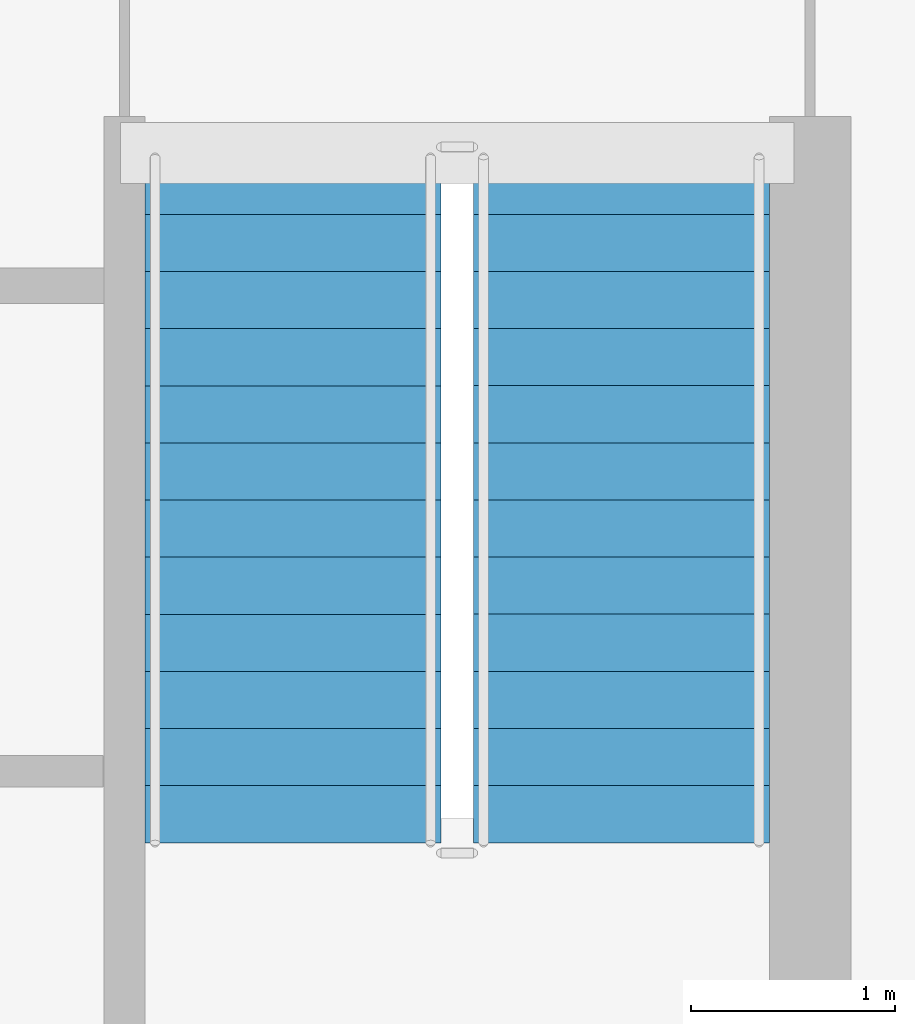
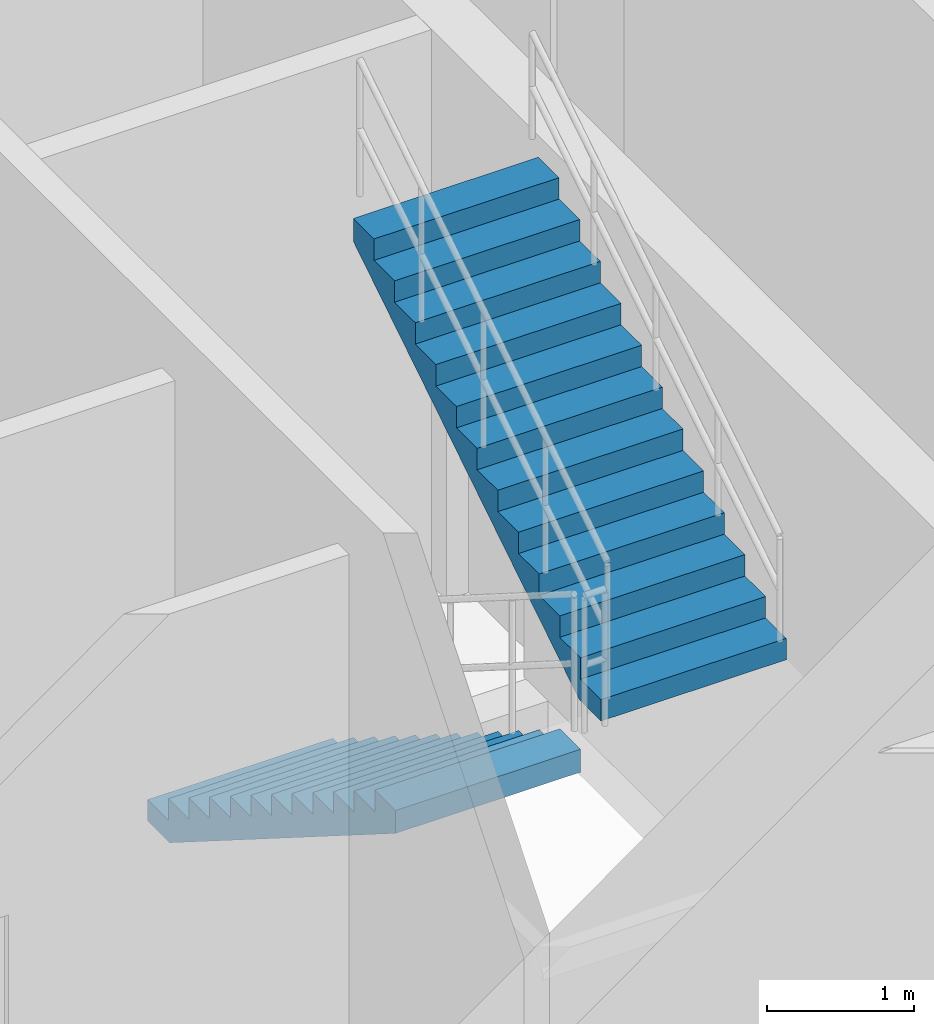
# One storey, part 23 of 25: 2 stair flights, 1 element without a shape of its own.
"""IFC4 building model written with IfcOpenShell, lengths in metres."""

from ifc_helpers import new_model, si_unit, direction, frame, origin, place, context, subcontext, project, spatial, polyline, outline, extrude, material, layer, layer_set, type_object, element, aggregate, save


model = new_model("IFC4")

# Units and contexts
model_context = context("Model", 3, precision=1e-05, world=origin(), true_north=direction((0.0, 1.0)))
body_context = subcontext(model_context, "Body", "Model", "MODEL_VIEW")
ifc_project = project(units=[si_unit("LENGTHUNIT", "METRE"), si_unit("AREAUNIT", "SQUARE_METRE"), si_unit("VOLUMEUNIT", "CUBIC_METRE"), si_unit("PLANEANGLEUNIT", "RADIAN"), si_unit("MASSUNIT", "GRAM", prefix="KILO")], contexts=[model_context])

# Site, building, storey
site_placement = place(None, origin())
site = spatial("IfcSite", under=ifc_project, at=site_placement, CompositionType="ELEMENT")
building_placement = place(site_placement, origin())
building = spatial("IfcBuilding", under=site, at=building_placement, Name="Talar Marvaseh", CompositionType="ELEMENT")
storey_placement = place(building_placement, frame((0.0, 0.0, 84.800048828125)))
storey = spatial("IfcBuildingStorey", under=building, at=storey_placement, Name="L21", CompositionType="ELEMENT", Elevation=84.800048828125)

# Stair, stair flights
ifc_material = material(Name="Concrete C40/50", Category="concrete")
stair_type = type_object("IfcStairType", Name="Reinforced Concrete Half-Turn Exit Stair Type B", PredefinedType="HALF_TURN_STAIR", material=ifc_material)
stair_placement = place(storey_placement, origin())
stair = element("IfcStair", 1, at=stair_placement, inside=storey, type_object=stair_type, Name="L21 Tower East Core Exit Stair", PredefinedType="HALF_TURN_STAIR")
ifc_layer = layer(ifc_material, 0.159912109375)
ifc_layer_set = layer_set([ifc_layer], Name="Concrete C40/50")
stair_flight_type = type_object("IfcStairFlightType", Name="Reinforced Concrete Straight Stair Flight 160", PredefinedType="STRAIGHT", material=ifc_layer_set)
stair_flight_1_placement = place(storey_placement, frame((30.06494140625, 31.64990234375, 0.0), z_axis=(0.0, 0.0, 1.0), x_axis=(0.0, -1.0, 0.0)))
stair_flight_1 = element("IfcStairFlight", 2, at=stair_flight_1_placement, type_object=stair_flight_type, Name="ST-2 flight 1", NumberOfRisers=13, NumberOfTreads=12, PredefinedType="STRAIGHT", RiserHeight=0.176923077, TreadLength=0.28, context=body_context, shape_type="SweptSolid", body=[
    extrude(outline(polyline([(0.0, 0.0), (0.0, 0.177001953125), (0.280029296875, 0.177001953125), (0.280029296875, 0.353759765625), (0.56005859375, 0.353759765625), (0.56005859375, 0.53076171875), (0.840087890625, 0.53076171875), (0.840087890625, 0.707763671875), (1.1201171875, 0.707763671875), (1.1201171875, 0.884521484375), (1.39990234375, 0.884521484375), (1.39990234375, 1.0615234375), (1.679931640625, 1.0615234375), (1.679931640625, 1.238525390625), (1.9599609375, 1.238525390625), (1.9599609375, 1.415283203125), (2.239990234375, 1.415283203125), (2.239990234375, 1.59228515625), (2.52001953125, 1.59228515625), (2.52001953125, 1.769287109375), (2.800048828125, 1.769287109375), (2.800048828125, 1.946044921875), (3.080078125, 1.946044921875), (3.080078125, 2.123046875), (3.360107421875, 2.123046875), (3.360107421875, 2.300048828125), (3.360107421875, 1.933837890625), (0.29931640625, 0.0), (0.0, 0.0)])), frame((0.0, 0.72509765625, 0.0), z_axis=(0.0, -1.0, 0.0), x_axis=(1.0, 0.0, 0.0)), (0.0, 0.0, 1.0), 1.449951171875),
])
stair_flight_2_placement = place(storey_placement, frame((31.675048828125, 28.2900390625, 2.300048828125), z_axis=(0.0, 0.0, 1.0), x_axis=(0.0, 1.0, 0.0)))
stair_flight_2 = element("IfcStairFlight", 3, at=stair_flight_2_placement, type_object=stair_flight_type, Name="ST-2 flight 2", NumberOfRisers=13, NumberOfTreads=12, PredefinedType="STRAIGHT", RiserHeight=0.176923077, TreadLength=0.28, context=body_context, shape_type="SweptSolid", body=[
    extrude(outline(polyline([(0.0, 0.0), (0.0, 0.177001953125), (0.280029296875, 0.177001953125), (0.280029296875, 0.353759765625), (0.56005859375, 0.353759765625), (0.56005859375, 0.53076171875), (0.840087890625, 0.53076171875), (0.840087890625, 0.707763671875), (1.1201171875, 0.707763671875), (1.1201171875, 0.884521484375), (1.39990234375, 0.884521484375), (1.39990234375, 1.0615234375), (1.679931640625, 1.0615234375), (1.679931640625, 1.238525390625), (1.9599609375, 1.238525390625), (1.9599609375, 1.415283203125), (2.239990234375, 1.415283203125), (2.239990234375, 1.59228515625), (2.52001953125, 1.59228515625), (2.52001953125, 1.769287109375), (2.800048828125, 1.769287109375), (2.800048828125, 1.946044921875), (3.080078125, 1.946044921875), (3.080078125, 2.123046875), (3.360107421875, 2.123046875), (3.360107421875, 2.300048828125), (3.360107421875, 1.933837890625), (0.29931640625, 0.0), (0.0, 0.0)])), frame((0.0, 0.72509765625, 0.0), z_axis=(0.0, -1.0, 0.0), x_axis=(1.0, 0.0, 0.0)), (0.0, 0.0, 1.0), 1.449951171875),
])
aggregate(stair, [stair_flight_1, stair_flight_2])

save(model, "model.ifc")
